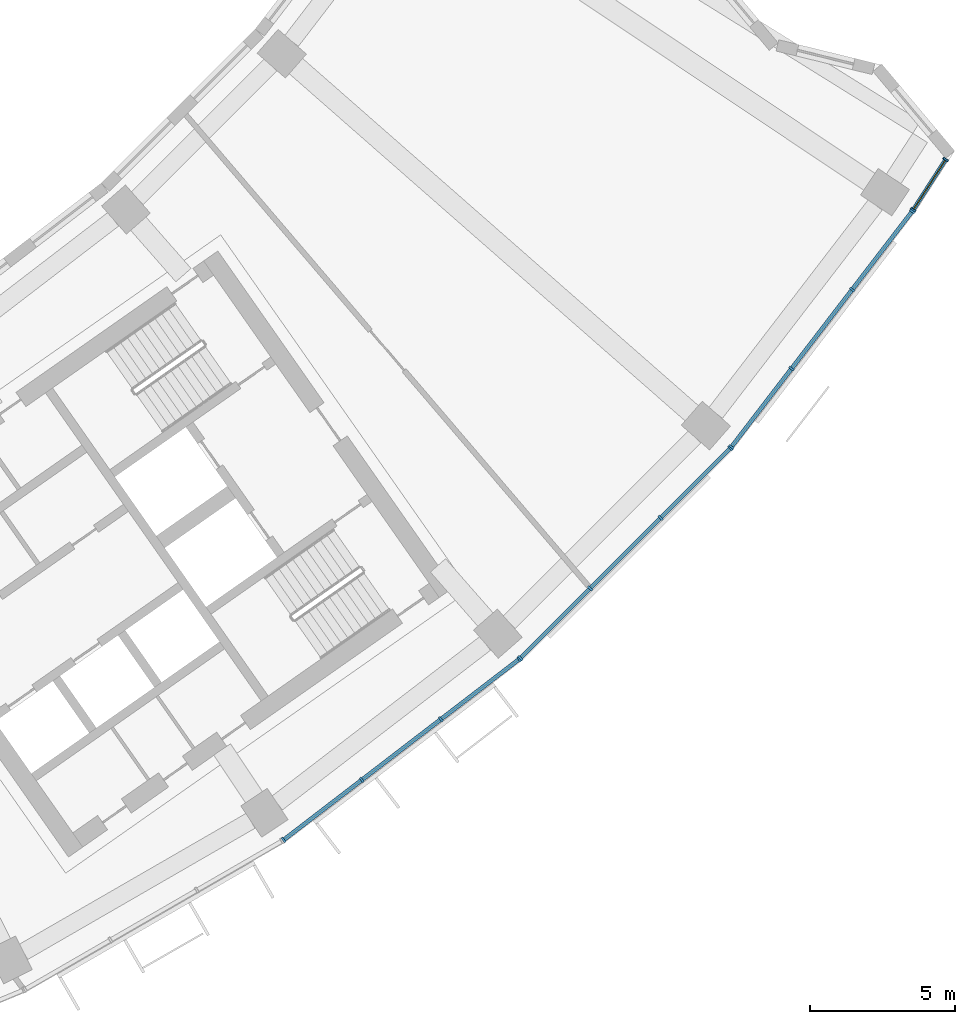
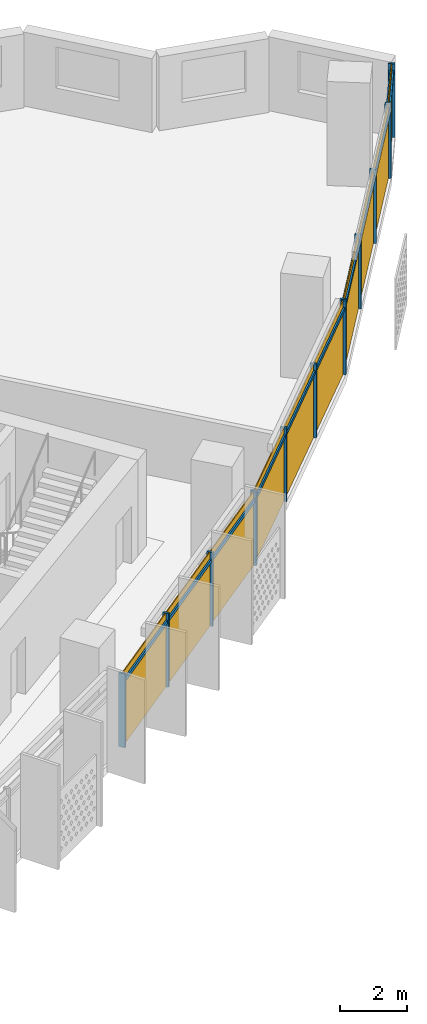
# One storey, part 20 of 26: 24 members, 4 curtain walls.
"""IFC4 building model written with IfcOpenShell, lengths in metres."""

import ifcopenshell
import ifcopenshell.guid

model = None  # the IFC model being written
_history = None  # IfcOwnerHistory: only IFC2X3 demands one
_inside = {}  # id of a spatial element -> (the spatial element, [elements in it])
_under = {}  # id of a project, library or spatial element -> (it, [spatial elements below it])
_declared = {}  # id of a project -> (the project, [libraries it declares])
_typed = {}  # id of a type object -> (the type object, [elements of that type])
_made_of = {}  # id of a material, layer set ... -> (it, [elements and type objects made of it])


def new_model(schema):
    """Start an empty IFC model of exactly this schema.

    Asked for "IFC4X3", IfcOpenShell would pick the latest addendum, in which some entities
    have other attributes; the version numbers below select the first issue.
    IFC2X3 requires an IfcOwnerHistory on every rooted entity: one is made here for all.
    """
    global model, _history
    if schema == "IFC4X3":
        model = ifcopenshell.file(schema_version=(4, 3, 0, 0))
    else:
        model = ifcopenshell.file(schema=schema)
    _inside.clear()
    _under.clear()
    _declared.clear()
    _typed.clear()
    _made_of.clear()
    _history = None
    if model.schema == "IFC2X3":
        org = make("IfcOrganization", Name="unknown")
        user = make(
            "IfcPersonAndOrganization",
            ThePerson=make("IfcPerson", FamilyName="unknown"),
            TheOrganization=org,
        )
        app = make(
            "IfcApplication",
            ApplicationDeveloper=org,
            Version="unknown",
            ApplicationFullName="unknown",
            ApplicationIdentifier="unknown",
        )
        _history = make(
            "IfcOwnerHistory",
            OwningUser=user,
            OwningApplication=app,
            ChangeAction="ADDED",
            CreationDate=0,
        )
    return model


def make(cls, **values):
    """One entity of the class cls with the attributes given. An attribute that is None is left unset."""
    return model.create_entity(
        cls, **{name: value for name, value in values.items() if value is not None}
    )


def rooted(cls, **values):
    """An entity with a GlobalId (a new one), such as an element, a storey or a relation."""
    return make(cls, GlobalId=ifcopenshell.guid.new(), OwnerHistory=_history, **values)


def si_unit(unit_type, name, prefix=None):
    """IfcSIUnit, for example si_unit("LENGTHUNIT", "METRE", prefix="MILLI")."""
    return make("IfcSIUnit", UnitType=unit_type, Prefix=prefix, Name=name)


def assignment(units):
    """IfcUnitAssignment: the units of a project."""
    return None if units is None else make("IfcUnitAssignment", Units=units)


def point(xyz):
    """IfcCartesianPoint."""
    return None if xyz is None else make("IfcCartesianPoint", Coordinates=xyz)


def direction(xyz):
    """IfcDirection."""
    return None if xyz is None else make("IfcDirection", DirectionRatios=xyz)


def frame(location, z_axis=None, x_axis=None):
    """IfcAxis2Placement3D, a coordinate frame: its origin and axes. An axis left out is left unset."""
    return make(
        "IfcAxis2Placement3D",
        Location=point(location),
        Axis=direction(z_axis),
        RefDirection=direction(x_axis),
    )


def frame_2d(location, x_axis=None):
    """IfcAxis2Placement2D, a coordinate frame in the plane: its origin and x axis."""
    return make(
        "IfcAxis2Placement2D", Location=point(location), RefDirection=direction(x_axis)
    )


def origin():
    """The frame at (0, 0, 0) with its axes left unset."""
    return frame((0.0, 0.0, 0.0))


def origin_2d():
    """The frame at (0, 0) in the plane with its x axis left unset."""
    return frame_2d((0.0, 0.0))


def place(relative_to, where):
    """IfcLocalPlacement: puts the frame where relative to a parent placement (None: the world)."""
    return make(
        "IfcLocalPlacement", PlacementRelTo=relative_to, RelativePlacement=where
    )


def context(
    kind, dimensions, precision=None, world=None, true_north=None, identifier=None
):
    """IfcGeometricRepresentationContext, for example the 3D "Model" context."""
    return make(
        "IfcGeometricRepresentationContext",
        ContextIdentifier=identifier,
        ContextType=kind,
        CoordinateSpaceDimension=dimensions,
        Precision=precision,
        WorldCoordinateSystem=world,
        TrueNorth=true_north,
    )


def subcontext(parent, identifier, kind, view, scale=None):
    """IfcGeometricRepresentationSubContext, for example "Body" below "Model"."""
    return make(
        "IfcGeometricRepresentationSubContext",
        ContextIdentifier=identifier,
        ContextType=kind,
        ParentContext=parent,
        TargetScale=scale,
        TargetView=view,
    )


def project(units=None, contexts=None):
    """IfcProject with its units and contexts."""
    return rooted(
        "IfcProject",
        Name="project",
        RepresentationContexts=contexts,
        UnitsInContext=assignment(units),
    )


def spatial(cls, under=None, at=None, **own):
    """A site, building, storey or space (cls), placed at a placement, below another one or the project."""
    s = rooted(cls, ObjectPlacement=at, **own)
    if under is not None:
        _under.setdefault(under.id(), (under, []))[1].append(s)
    return s


def profile(cls, at=None, kind="AREA", **sizes):
    """A parametric profile (cls). Its sizes go by their IFC names, for example OverallWidth=200.0."""
    return make(cls, ProfileType=kind, Position=at, **sizes)


def rectangle(**sizes):
    """IfcRectangleProfileDef."""
    return profile("IfcRectangleProfileDef", **sizes)


def extrude(swept, where, along, depth):
    """IfcExtrudedAreaSolid: the profile swept, set in the frame where, extruded along a direction by depth."""
    return make(
        "IfcExtrudedAreaSolid",
        SweptArea=swept,
        Position=where,
        ExtrudedDirection=direction(along),
        Depth=depth,
    )


def shape(context_of_items, identifier, shape_type, items):
    """IfcShapeRepresentation: the items that make up one representation, for example the "Body"."""
    return make(
        "IfcShapeRepresentation",
        ContextOfItems=context_of_items,
        RepresentationIdentifier=identifier,
        RepresentationType=shape_type,
        Items=items,
    )


def material(Name=None, Category=None):
    """IfcMaterial."""
    return make("IfcMaterial", Name=Name, Category=Category)


def material_profile(
    of_material, cross_section, Name=None, Category=None, Priority=None
):
    """IfcMaterialProfile: a cross section and its material."""
    return make(
        "IfcMaterialProfile",
        Name=Name,
        Material=of_material,
        Profile=cross_section,
        Priority=Priority,
        Category=Category,
    )


def profile_set(profiles, Name=None, composite=None):
    """IfcMaterialProfileSet."""
    return make(
        "IfcMaterialProfileSet",
        Name=Name,
        MaterialProfiles=profiles,
        CompositeProfile=composite,
    )


def made_of(thing, what):
    """Note that an element or type object is made of a material, layer set ...; save() writes the relation."""
    if what is not None:
        _made_of.setdefault(what.id(), (what, []))[1].append(thing)
    return thing


def type_object(cls, material=None, **own):
    """A type object (cls), such as IfcWallType, which elements share."""
    return made_of(rooted(cls, **own), material)


def element(
    cls,
    number,
    at=None,
    inside=None,
    cuts=None,
    type_object=None,
    material=None,
    context=None,
    identifier="Body",
    shape_type=None,
    held_by="IfcProductDefinitionShape",
    body=None,
    shapes=None,
    **own,
):
    """One element of the class cls, such as IfcWall. Its Tag is "e" and its number.

    at: its placement. inside: the storey or other place that contains it. cuts: it is an
    opening in that element (IfcRelVoidsElement). A single representation is given by context,
    identifier, shape_type and body (its items); several are given by shapes. held_by: the class
    of the entity that holds the representations. save() writes the other relations.
    """
    e = rooted(cls, Tag="e%d" % number, ObjectPlacement=at, **own)
    if body is not None:
        shapes = [shape(context, identifier, shape_type, body)]
    if shapes is not None:
        e.Representation = make(held_by, Representations=shapes)
    if inside is not None:
        _inside.setdefault(inside.id(), (inside, []))[1].append(e)
    if cuts is not None:
        rooted(
            "IfcRelVoidsElement", RelatingBuildingElement=cuts, RelatedOpeningElement=e
        )
    if type_object is not None:
        _typed.setdefault(type_object.id(), (type_object, []))[1].append(e)
    return made_of(e, material)


def aggregate(whole, parts):
    """IfcRelAggregates: a whole, such as a stair, and the parts it consists of."""
    return rooted("IfcRelAggregates", RelatingObject=whole, RelatedObjects=parts)


def save(model, path):
    """Write the relations noted so far, then the file.

    IfcRelAggregates (storeys below a building ...), IfcRelContainedInSpatialStructure (elements
    in a storey), IfcRelDefinesByType, IfcRelAssociatesMaterial and IfcRelDeclares: one each for
    every whole, place, type object, material and project.
    """
    for whole, parts in _under.values():
        aggregate(whole, parts)
    for where, things in _inside.values():
        rooted(
            "IfcRelContainedInSpatialStructure",
            RelatedElements=things,
            RelatingStructure=where,
        )
    for kind, things in _typed.values():
        rooted("IfcRelDefinesByType", RelatedObjects=things, RelatingType=kind)
    for what, things in _made_of.values():
        rooted("IfcRelAssociatesMaterial", RelatedObjects=things, RelatingMaterial=what)
    for by, libraries in _declared.values():
        rooted("IfcRelDeclares", RelatingContext=by, RelatedDefinitions=libraries)
    model.write(path)


model = new_model("IFC4")

# Units and contexts
model_context = context("Model", 3, precision=1e-05, world=origin(), true_north=direction((0.0, 1.0)))
body_context = subcontext(model_context, "Body", "Model", "MODEL_VIEW")
ifc_project = project(units=[si_unit("LENGTHUNIT", "METRE"), si_unit("AREAUNIT", "SQUARE_METRE"), si_unit("VOLUMEUNIT", "CUBIC_METRE"), si_unit("PLANEANGLEUNIT", "RADIAN"), si_unit("MASSUNIT", "GRAM", prefix="KILO")], contexts=[model_context])

# Member
ifc_material = material(Name="Aluminium 6063-T6 anodised", Category="aluminium")
ifc_material_profile_1 = material_profile(ifc_material, rectangle(XDim=0.199951171875, YDim=0.070068359375, at=origin_2d()))
ifc_profile_set_1 = profile_set([ifc_material_profile_1], Name="Aluminium 6063-T6 anodised")
member_type_1 = type_object("IfcMemberType", Name="Mullion 70 x 200 aluminium", PredefinedType="MULLION", material=ifc_profile_set_1)
site_placement = place(None, origin())
building_placement = place(site_placement, origin())
storey_placement = place(building_placement, frame((0.0, 0.0, 168.300048828125)))
member_1_placement = place(storey_placement, frame((43.85693359375, -65.58544921875, 0.0), z_axis=(0.0, 0.0, 1.0), x_axis=(-0.608761429009, 0.793353340291, 0.0)))
member_1 = element("IfcMember", 1, at=member_1_placement, type_object=member_type_1, Name="e-cw1-L39-out12/M00", PredefinedType="MULLION", context=body_context, shape_type="SweptSolid", body=[
    extrude(rectangle(XDim=0.199951171875, YDim=0.070068359375, at=origin_2d()), origin(), (0.0, 0.0, 1.0), 2.699951171875),
])

member_2_placement = place(storey_placement, frame((46.56201171875, -63.509765625, 0.0), z_axis=(0.0, 0.0, 1.0), x_axis=(-0.608761429009, 0.793353340291, 0.0)))
member_2 = element("IfcMember", 2, at=member_2_placement, type_object=member_type_1, Name="e-cw1-L39-out12/M01", PredefinedType="MULLION", context=body_context, shape_type="SweptSolid", body=[
    extrude(rectangle(XDim=0.199951171875, YDim=0.070068359375, at=origin_2d()), origin(), (0.0, 0.0, 1.0), 2.699951171875),
])

member_3_placement = place(storey_placement, frame((49.294677734375, -61.412841796875, 0.0), z_axis=(0.0, 0.0, 1.0), x_axis=(-0.608761429009, 0.793353340291, 0.0)))
member_3 = element("IfcMember", 3, at=member_3_placement, type_object=member_type_1, Name="e-cw1-L39-out12/M02", PredefinedType="MULLION", context=body_context, shape_type="SweptSolid", body=[
    extrude(rectangle(XDim=0.199951171875, YDim=0.070068359375, at=origin_2d()), origin(), (0.0, 0.0, 1.0), 2.699951171875),
])

member_4_placement = place(storey_placement, frame((51.999755859375, -59.33740234375, 0.0), z_axis=(0.0, 0.0, 1.0), x_axis=(-0.608761429009, 0.793353340291, 0.0)))
member_4 = element("IfcMember", 4, at=member_4_placement, type_object=member_type_1, Name="e-cw1-L39-out12/M03", PredefinedType="MULLION", context=body_context, shape_type="SweptSolid", body=[
    extrude(rectangle(XDim=0.199951171875, YDim=0.070068359375, at=origin_2d()), origin(), (0.0, 0.0, 1.0), 2.699951171875),
])

member_5_placement = place(storey_placement, frame((52.042236328125, -59.2998046875, 0.0), z_axis=(0.0, 0.0, 1.0), x_axis=(-0.707106781187, 0.707106781187, 0.0)))
member_5 = element("IfcMember", 5, at=member_5_placement, type_object=member_type_1, Name="e-cw1-L39-out13/M00", PredefinedType="MULLION", context=body_context, shape_type="SweptSolid", body=[
    extrude(rectangle(XDim=0.199951171875, YDim=0.070068359375, at=origin_2d()), origin(), (0.0, 0.0, 1.0), 2.699951171875),
])

member_6_placement = place(storey_placement, frame((54.453369140625, -56.888916015625, 0.0), z_axis=(0.0, 0.0, 1.0), x_axis=(-0.707106781187, 0.707106781187, 0.0)))
member_6 = element("IfcMember", 6, at=member_6_placement, type_object=member_type_1, Name="e-cw1-L39-out13/M01", PredefinedType="MULLION", context=body_context, shape_type="SweptSolid", body=[
    extrude(rectangle(XDim=0.199951171875, YDim=0.070068359375, at=origin_2d()), origin(), (0.0, 0.0, 1.0), 2.699951171875),
])

member_7_placement = place(storey_placement, frame((56.888916015625, -54.453369140625, 0.0), z_axis=(0.0, 0.0, 1.0), x_axis=(-0.707106781187, 0.707106781187, 0.0)))
member_7 = element("IfcMember", 7, at=member_7_placement, type_object=member_type_1, Name="e-cw1-L39-out13/M02", PredefinedType="MULLION", context=body_context, shape_type="SweptSolid", body=[
    extrude(rectangle(XDim=0.199951171875, YDim=0.070068359375, at=origin_2d()), origin(), (0.0, 0.0, 1.0), 2.699951171875),
])

member_8_placement = place(storey_placement, frame((59.2998046875, -52.042236328125, 0.0), z_axis=(0.0, 0.0, 1.0), x_axis=(-0.707106781187, 0.707106781187, 0.0)))
member_8 = element("IfcMember", 8, at=member_8_placement, type_object=member_type_1, Name="e-cw1-L39-out13/M03", PredefinedType="MULLION", context=body_context, shape_type="SweptSolid", body=[
    extrude(rectangle(XDim=0.199951171875, YDim=0.070068359375, at=origin_2d()), origin(), (0.0, 0.0, 1.0), 2.699951171875),
])

member_9_placement = place(storey_placement, frame((59.33740234375, -51.999755859375, 0.0), z_axis=(0.0, 0.0, 1.0), x_axis=(-0.793353340291, 0.608761429009, 0.0)))
member_9 = element("IfcMember", 9, at=member_9_placement, type_object=member_type_1, Name="e-cw1-L39-out14/M00", PredefinedType="MULLION", context=body_context, shape_type="SweptSolid", body=[
    extrude(rectangle(XDim=0.199951171875, YDim=0.070068359375, at=origin_2d()), origin(), (0.0, 0.0, 1.0), 2.699951171875),
])

member_10_placement = place(storey_placement, frame((61.412841796875, -49.294677734375, 0.0), z_axis=(0.0, 0.0, 1.0), x_axis=(-0.793353340291, 0.608761429009, 0.0)))
member_10 = element("IfcMember", 10, at=member_10_placement, type_object=member_type_1, Name="e-cw1-L39-out14/M01", PredefinedType="MULLION", context=body_context, shape_type="SweptSolid", body=[
    extrude(rectangle(XDim=0.199951171875, YDim=0.070068359375, at=origin_2d()), origin(), (0.0, 0.0, 1.0), 2.699951171875),
])

member_11_placement = place(storey_placement, frame((63.509765625, -46.56201171875, 0.0), z_axis=(0.0, 0.0, 1.0), x_axis=(-0.793353340291, 0.608761429009, 0.0)))
member_11 = element("IfcMember", 11, at=member_11_placement, type_object=member_type_1, Name="e-cw1-L39-out14/M02", PredefinedType="MULLION", context=body_context, shape_type="SweptSolid", body=[
    extrude(rectangle(XDim=0.199951171875, YDim=0.070068359375, at=origin_2d()), origin(), (0.0, 0.0, 1.0), 2.699951171875),
])

member_12_placement = place(storey_placement, frame((65.58544921875, -43.85693359375, 0.0), z_axis=(0.0, 0.0, 1.0), x_axis=(-0.793353340291, 0.608761429009, 0.0)))
member_12 = element("IfcMember", 12, at=member_12_placement, type_object=member_type_1, Name="e-cw1-L39-out14/M03", PredefinedType="MULLION", context=body_context, shape_type="SweptSolid", body=[
    extrude(rectangle(XDim=0.199951171875, YDim=0.070068359375, at=origin_2d()), origin(), (0.0, 0.0, 1.0), 2.699951171875),
])

member_13_placement = place(storey_placement, frame((65.62109375, -43.806396484375, 0.0), z_axis=(0.0, 0.0, 1.0), x_axis=(-0.840244709552, 0.5422073663, 0.0)))
member_13 = element("IfcMember", 13, at=member_13_placement, type_object=member_type_1, Name="e-cw1-L39-out15/M00", PredefinedType="MULLION", context=body_context, shape_type="SweptSolid", body=[
    extrude(rectangle(XDim=0.199951171875, YDim=0.070068359375, at=origin_2d()), origin(), (0.0, 0.0, 1.0), 2.699951171875),
])

member_14_placement = place(storey_placement, frame((66.743896484375, -42.06640625, 0.0), z_axis=(0.0, 0.0, 1.0), x_axis=(-0.840244709552, 0.5422073663, 0.0)))
member_14 = element("IfcMember", 14, at=member_14_placement, type_object=member_type_1, Name="e-cw1-L39-out15/M01", PredefinedType="MULLION", context=body_context, shape_type="SweptSolid", body=[
    extrude(rectangle(XDim=0.199951171875, YDim=0.070068359375, at=origin_2d()), origin(), (0.0, 0.0, 1.0), 2.699951171875),
])

ifc_material_profile_2 = material_profile(ifc_material, rectangle(XDim=0.139892578125, YDim=0.1201171875, at=origin_2d()))
ifc_profile_set_2 = profile_set([ifc_material_profile_2], Name="Aluminium 6063-T6 anodised")
member_type_2 = type_object("IfcMemberType", Name="Transom 120 x 140 aluminium", PredefinedType="USERDEFINED", material=ifc_profile_set_2)
member_15_placement = place(storey_placement, frame((43.884765625, -65.564208984375, 2.39990234375), z_axis=(0.793354486861, 0.608759934767, 0.0), x_axis=(-0.608759934767, 0.793354486861, 0.0)))
member_15 = element("IfcMember", 15, at=member_15_placement, type_object=member_type_2, Name="e-cw1-L39-out12/T00", ObjectType="TRANSOM", PredefinedType="USERDEFINED", context=body_context, shape_type="SweptSolid", body=[
    extrude(rectangle(XDim=0.139892578125, YDim=0.1201171875, at=origin_2d()), origin(), (0.0, 0.0, 1.0), 3.339599609375),
])

member_16_placement = place(storey_placement, frame((46.589599609375, -63.488525390625, 2.39990234375), z_axis=(0.793371081522, 0.608738307489, 0.0), x_axis=(-0.608738307489, 0.793371081522, 0.0)))
member_16 = element("IfcMember", 16, at=member_16_placement, type_object=member_type_2, Name="e-cw1-L39-out12/T01", ObjectType="TRANSOM", PredefinedType="USERDEFINED", context=body_context, shape_type="SweptSolid", body=[
    extrude(rectangle(XDim=0.139892578125, YDim=0.1201171875, at=origin_2d()), origin(), (0.0, 0.0, 1.0), 3.37451171875),
])

member_17_placement = place(storey_placement, frame((49.322509765625, -61.3916015625, 2.39990234375), z_axis=(0.793354486861, 0.608759934767, 0.0), x_axis=(-0.608759934767, 0.793354486861, 0.0)))
member_17 = element("IfcMember", 17, at=member_17_placement, type_object=member_type_2, Name="e-cw1-L39-out12/T02", ObjectType="TRANSOM", PredefinedType="USERDEFINED", context=body_context, shape_type="SweptSolid", body=[
    extrude(rectangle(XDim=0.139892578125, YDim=0.1201171875, at=origin_2d()), origin(), (0.0, 0.0, 1.0), 3.339599609375),
])

member_18_placement = place(storey_placement, frame((52.067138671875, -59.275146484375, 2.39990234375), z_axis=(0.707106781187, 0.707106781187, 0.0), x_axis=(-0.707106781187, 0.707106781187, 0.0)))
member_18 = element("IfcMember", 18, at=member_18_placement, type_object=member_type_2, Name="e-cw1-L39-out13/T00", ObjectType="TRANSOM", PredefinedType="USERDEFINED", context=body_context, shape_type="SweptSolid", body=[
    extrude(rectangle(XDim=0.139892578125, YDim=0.1201171875, at=origin_2d()), origin(), (0.0, 0.0, 1.0), 3.33935546875),
])

member_19_placement = place(storey_placement, frame((54.47802734375, -56.8642578125, 2.39990234375), z_axis=(0.707106781187, 0.707106781187, 0.0), x_axis=(-0.707106781187, 0.707106781187, 0.0)))
member_19 = element("IfcMember", 19, at=member_19_placement, type_object=member_type_2, Name="e-cw1-L39-out13/T01", ObjectType="TRANSOM", PredefinedType="USERDEFINED", context=body_context, shape_type="SweptSolid", body=[
    extrude(rectangle(XDim=0.139892578125, YDim=0.1201171875, at=origin_2d()), origin(), (0.0, 0.0, 1.0), 3.374755859375),
])

member_20_placement = place(storey_placement, frame((56.913818359375, -54.428466796875, 2.39990234375), z_axis=(0.707106781187, 0.707106781187, 0.0), x_axis=(-0.707106781187, 0.707106781187, 0.0)))
member_20 = element("IfcMember", 20, at=member_20_placement, type_object=member_type_2, Name="e-cw1-L39-out13/T02", ObjectType="TRANSOM", PredefinedType="USERDEFINED", context=body_context, shape_type="SweptSolid", body=[
    extrude(rectangle(XDim=0.139892578125, YDim=0.1201171875, at=origin_2d()), origin(), (0.0, 0.0, 1.0), 3.33935546875),
])

member_21_placement = place(storey_placement, frame((59.358642578125, -51.971923828125, 2.39990234375), z_axis=(0.608759934767, 0.793354486861, 0.0), x_axis=(-0.793354486861, 0.608759934767, 0.0)))
member_21 = element("IfcMember", 21, at=member_21_placement, type_object=member_type_2, Name="e-cw1-L39-out14/T00", ObjectType="TRANSOM", PredefinedType="USERDEFINED", context=body_context, shape_type="SweptSolid", body=[
    extrude(rectangle(XDim=0.139892578125, YDim=0.1201171875, at=origin_2d()), origin(), (0.0, 0.0, 1.0), 3.339599609375),
])

member_22_placement = place(storey_placement, frame((61.434326171875, -49.266845703125, 2.39990234375), z_axis=(0.608738307489, 0.793371081522, 0.0), x_axis=(-0.793371081522, 0.608738307489, 0.0)))
member_22 = element("IfcMember", 22, at=member_22_placement, type_object=member_type_2, Name="e-cw1-L39-out14/T01", ObjectType="TRANSOM", PredefinedType="USERDEFINED", context=body_context, shape_type="SweptSolid", body=[
    extrude(rectangle(XDim=0.139892578125, YDim=0.1201171875, at=origin_2d()), origin(), (0.0, 0.0, 1.0), 3.37451171875),
])

member_23_placement = place(storey_placement, frame((63.53125, -46.5341796875, 2.39990234375), z_axis=(0.608759934767, 0.793354486861, 0.0), x_axis=(-0.793354486861, 0.608759934767, 0.0)))
member_23 = element("IfcMember", 23, at=member_23_placement, type_object=member_type_2, Name="e-cw1-L39-out14/T02", ObjectType="TRANSOM", PredefinedType="USERDEFINED", context=body_context, shape_type="SweptSolid", body=[
    extrude(rectangle(XDim=0.139892578125, YDim=0.1201171875, at=origin_2d()), origin(), (0.0, 0.0, 1.0), 3.339599609375),
])

member_24_placement = place(storey_placement, frame((65.64013671875, -43.777099609375, 2.39990234375), z_axis=(0.542163002027, 0.840273336024, 0.0), x_axis=(-0.840273336024, 0.542163002027, 0.0)))
member_24 = element("IfcMember", 24, at=member_24_placement, type_object=member_type_2, Name="e-cw1-L39-out15/T00", ObjectType="TRANSOM", PredefinedType="USERDEFINED", context=body_context, shape_type="SweptSolid", body=[
    extrude(rectangle(XDim=0.139892578125, YDim=0.1201171875, at=origin_2d()), origin(), (0.0, 0.0, 1.0), 2.000732421875),
])

# Site, building, storey
site = spatial("IfcSite", under=ifc_project, at=site_placement, CompositionType="ELEMENT")
building = spatial("IfcBuilding", under=site, at=building_placement, Name="Qamariyya Broadcast Tower", CompositionType="ELEMENT")
storey = spatial("IfcBuildingStorey", under=building, at=storey_placement, Name="L39", CompositionType="ELEMENT", Elevation=168.300048828125)

# Curtain wall
curtain_wall_type = type_object("IfcCurtainWallType", Name="Unitised curtain wall, anodised aluminium", PredefinedType="NOTDEFINED", material=ifc_material)
curtain_wall_1_placement = place(storey_placement, origin())
curtain_wall_1 = element("IfcCurtainWall", 25, at=curtain_wall_1_placement, inside=storey, type_object=curtain_wall_type, Name="e-cw1-L39-out12", PredefinedType="NOTDEFINED", context=body_context, shape_type="SweptSolid", body=[
    extrude(rectangle(XDim=3.339599609375, YDim=0.031982421875, at=origin_2d()), frame((45.20947265625, -64.547607421875, 0.0), x_axis=(0.793351517557, 0.608763804434, 0.0)), (0.0, 0.0, 1.0), 2.340087890625),
    extrude(rectangle(XDim=3.339599609375, YDim=0.031982421875, at=origin_2d()), frame((45.20947265625, -64.547607421875, 2.4599609375), x_axis=(0.793351517557, 0.608763804434, 0.0)), (0.0, 0.0, 1.0), 0.239990234375),
    extrude(rectangle(XDim=3.37451171875, YDim=0.031982421875, at=origin_2d()), frame((47.92822265625, -62.46142578125, 0.0), x_axis=(0.793351517557, 0.608763804434, 0.0)), (0.0, 0.0, 1.0), 2.340087890625),
    extrude(rectangle(XDim=3.37451171875, YDim=0.031982421875, at=origin_2d()), frame((47.92822265625, -62.46142578125, 2.4599609375), x_axis=(0.793351517557, 0.608763804434, 0.0)), (0.0, 0.0, 1.0), 0.239990234375),
    extrude(rectangle(XDim=3.339599609375, YDim=0.031982421875, at=origin_2d()), frame((50.64697265625, -60.375, 0.0), x_axis=(0.793351517557, 0.608763804434, 0.0)), (0.0, 0.0, 1.0), 2.340087890625),
    extrude(rectangle(XDim=3.339599609375, YDim=0.031982421875, at=origin_2d()), frame((50.64697265625, -60.375, 2.4599609375), x_axis=(0.793351517557, 0.608763804434, 0.0)), (0.0, 0.0, 1.0), 0.239990234375),
])

aggregate(curtain_wall_1, [member_1, member_2, member_3, member_4, member_15, member_16, member_17])

curtain_wall_2_placement = place(storey_placement, origin())
curtain_wall_2 = element("IfcCurtainWall", 26, at=curtain_wall_2_placement, inside=storey, type_object=curtain_wall_type, Name="e-cw1-L39-out13", PredefinedType="NOTDEFINED", context=body_context, shape_type="SweptSolid", body=[
    extrude(rectangle(XDim=3.339599609375, YDim=0.031982421875, at=origin_2d()), frame((53.247802734375, -58.094482421875, 0.0), x_axis=(0.707106781187, 0.707106781187, 0.0)), (0.0, 0.0, 1.0), 2.340087890625),
    extrude(rectangle(XDim=3.339599609375, YDim=0.031982421875, at=origin_2d()), frame((53.247802734375, -58.094482421875, 2.4599609375), x_axis=(0.707106781187, 0.707106781187, 0.0)), (0.0, 0.0, 1.0), 0.239990234375),
    extrude(rectangle(XDim=3.37451171875, YDim=0.031982421875, at=origin_2d()), frame((55.671142578125, -55.671142578125, 0.0), x_axis=(0.707106781187, 0.707106781187, 0.0)), (0.0, 0.0, 1.0), 2.340087890625),
    extrude(rectangle(XDim=3.37451171875, YDim=0.031982421875, at=origin_2d()), frame((55.671142578125, -55.671142578125, 2.4599609375), x_axis=(0.707106781187, 0.707106781187, 0.0)), (0.0, 0.0, 1.0), 0.239990234375),
    extrude(rectangle(XDim=3.339599609375, YDim=0.031982421875, at=origin_2d()), frame((58.094482421875, -53.247802734375, 0.0), x_axis=(0.707106781187, 0.707106781187, 0.0)), (0.0, 0.0, 1.0), 2.340087890625),
    extrude(rectangle(XDim=3.339599609375, YDim=0.031982421875, at=origin_2d()), frame((58.094482421875, -53.247802734375, 2.4599609375), x_axis=(0.707106781187, 0.707106781187, 0.0)), (0.0, 0.0, 1.0), 0.239990234375),
])

aggregate(curtain_wall_2, [member_5, member_6, member_7, member_8, member_18, member_19, member_20])

curtain_wall_3_placement = place(storey_placement, origin())
curtain_wall_3 = element("IfcCurtainWall", 27, at=curtain_wall_3_placement, inside=storey, type_object=curtain_wall_type, Name="e-cw1-L39-out14", PredefinedType="NOTDEFINED", context=body_context, shape_type="SweptSolid", body=[
    extrude(rectangle(XDim=3.339599609375, YDim=0.031982421875, at=origin_2d()), frame((60.375, -50.64697265625, 0.0), x_axis=(0.608763804434, 0.793351517557, 0.0)), (0.0, 0.0, 1.0), 2.340087890625),
    extrude(rectangle(XDim=3.339599609375, YDim=0.031982421875, at=origin_2d()), frame((60.375, -50.64697265625, 2.4599609375), x_axis=(0.608763804434, 0.793351517557, 0.0)), (0.0, 0.0, 1.0), 0.239990234375),
    extrude(rectangle(XDim=3.37451171875, YDim=0.031982421875, at=origin_2d()), frame((62.46142578125, -47.92822265625, 0.0), x_axis=(0.608763804434, 0.793351517557, 0.0)), (0.0, 0.0, 1.0), 2.340087890625),
    extrude(rectangle(XDim=3.37451171875, YDim=0.031982421875, at=origin_2d()), frame((62.46142578125, -47.92822265625, 2.4599609375), x_axis=(0.608763804434, 0.793351517557, 0.0)), (0.0, 0.0, 1.0), 0.239990234375),
    extrude(rectangle(XDim=3.339599609375, YDim=0.031982421875, at=origin_2d()), frame((64.547607421875, -45.20947265625, 0.0), x_axis=(0.608763804434, 0.793351517557, 0.0)), (0.0, 0.0, 1.0), 2.340087890625),
    extrude(rectangle(XDim=3.339599609375, YDim=0.031982421875, at=origin_2d()), frame((64.547607421875, -45.20947265625, 2.4599609375), x_axis=(0.608763804434, 0.793351517557, 0.0)), (0.0, 0.0, 1.0), 0.239990234375),
])

aggregate(curtain_wall_3, [member_9, member_10, member_11, member_12, member_21, member_22, member_23])

curtain_wall_4_placement = place(storey_placement, origin())
curtain_wall_4 = element("IfcCurtainWall", 28, at=curtain_wall_4_placement, inside=storey, type_object=curtain_wall_type, Name="e-cw1-L39-out15", PredefinedType="NOTDEFINED", context=body_context, shape_type="SweptSolid", body=[
    extrude(rectangle(XDim=2.0009765625, YDim=0.031982421875, at=origin_2d()), frame((66.1826171875, -42.9365234375, 0.0), x_axis=(0.542243749937, 0.840221230186, 0.0)), (0.0, 0.0, 1.0), 2.340087890625),
    extrude(rectangle(XDim=2.0009765625, YDim=0.031982421875, at=origin_2d()), frame((66.1826171875, -42.9365234375, 2.4599609375), x_axis=(0.542243749937, 0.840221230186, 0.0)), (0.0, 0.0, 1.0), 0.239990234375),
])

aggregate(curtain_wall_4, [member_13, member_14, member_24])

save(model, "model.ifc")
